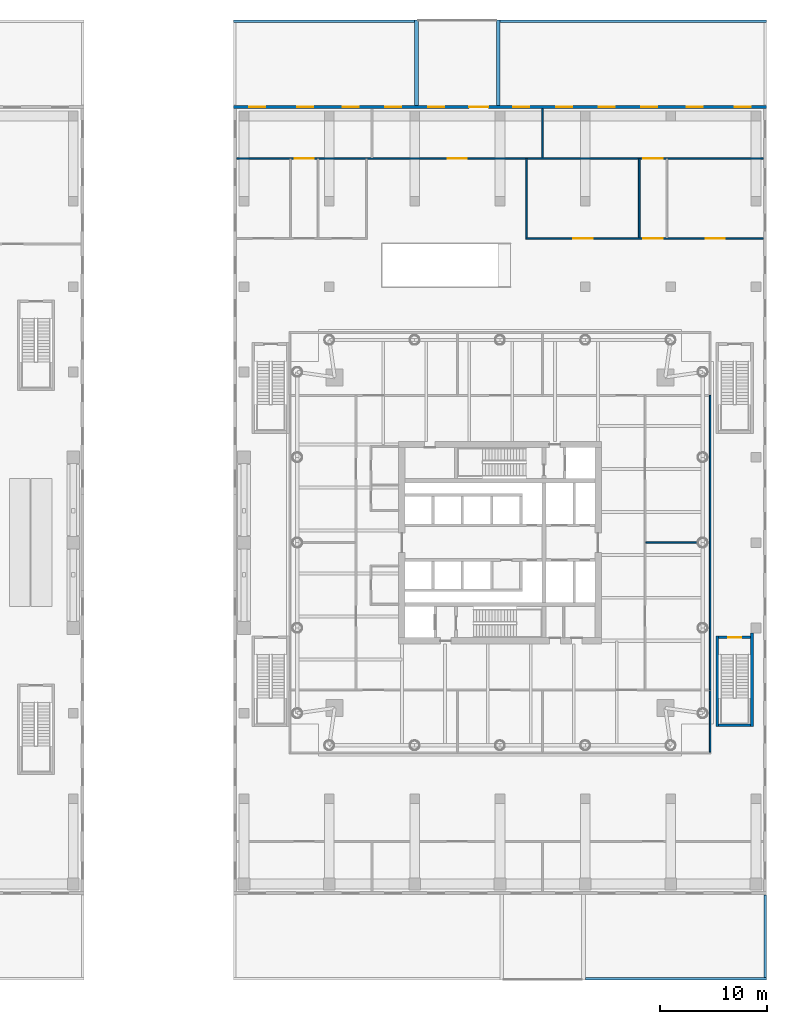
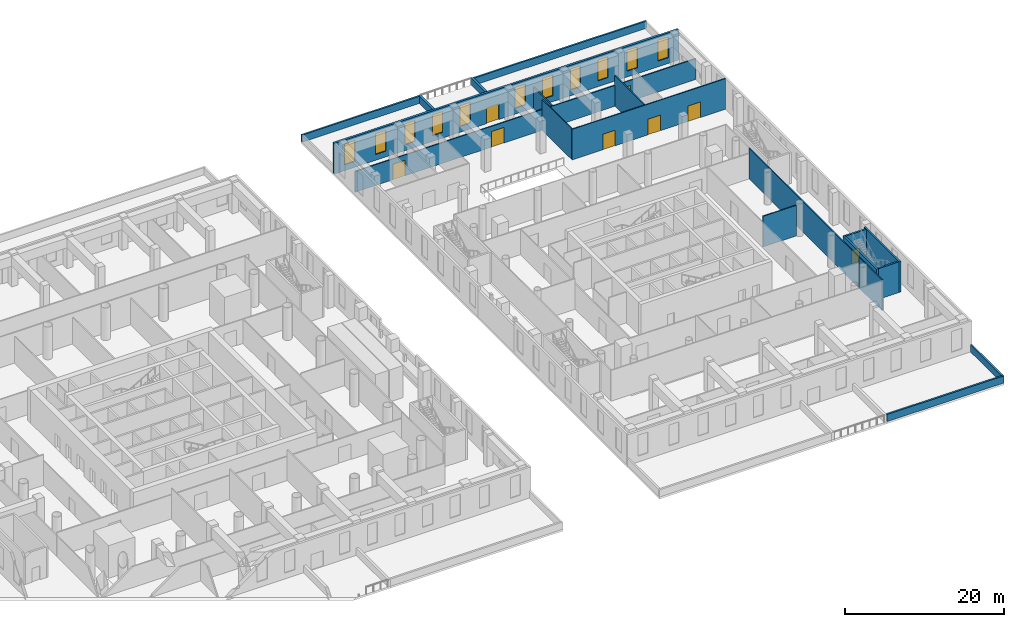
# One storey, part 19 of 26: 19 walls, 11 windows, 8 doors, 19 openings.
"""IFC4 building model written with IfcOpenShell, lengths in metres."""

from ifc_helpers import new_model, si_unit, direction, frame, frame_2d, origin, place, context, subcontext, project, spatial, rectangle, extrude, material, layer, layer_set, type_object, element, fill, save


model = new_model("IFC4")

# Units and contexts
model_context = context("Model", 3, precision=1e-05, world=origin(), true_north=direction((0.0, 1.0)))
body_context = subcontext(model_context, "Body", "Model", "MODEL_VIEW")
ifc_project = project(units=[si_unit("LENGTHUNIT", "METRE"), si_unit("AREAUNIT", "SQUARE_METRE"), si_unit("VOLUMEUNIT", "CUBIC_METRE"), si_unit("PLANEANGLEUNIT", "RADIAN"), si_unit("MASSUNIT", "GRAM", prefix="KILO")], contexts=[model_context])

# Site, building, storey
site_placement = place(None, origin())
site = spatial("IfcSite", under=ifc_project, at=site_placement, CompositionType="ELEMENT")
building_placement = place(site_placement, origin())
building = spatial("IfcBuilding", under=site, at=building_placement, Name="Ostroluk Exchange", CompositionType="ELEMENT")
storey_placement = place(building_placement, frame((0.0, 0.0, 6.0)))
storey = spatial("IfcBuildingStorey", under=building, at=storey_placement, Name="L01", CompositionType="ELEMENT", Elevation=6.0)

# Walls
ifc_material_1 = material(Name="Concrete blockwork", Category="masonry")
ifc_layer_1 = layer(ifc_material_1, 0.25)
ifc_layer_set_1 = layer_set([ifc_layer_1], Name="Blockwork stair enclosure wall 250")
wall_type_1 = type_object("IfcWallType", Name="Blockwork stair enclosure wall 250", PredefinedType="SOLIDWALL", material=ifc_layer_set_1)
wall_1_placement = place(storey_placement, frame((137.375, 28.75, 0.0), z_axis=(0.0, 0.0, 1.0), x_axis=(0.0, 1.0, 0.0)))
element("IfcWall", 1, at=wall_1_placement, inside=storey, type_object=wall_type_1, Name="Stair PS7 enclosure wall", PredefinedType="SOLIDWALL", context=body_context, shape_type="SweptSolid", body=[
    extrude(rectangle(XDim=8.5, YDim=0.25, at=frame_2d((4.25, 0.0))), origin(), (0.0, 0.0, 1.0), 4.699951171875),
])
wall_2_placement = place(storey_placement, frame((140.625, 28.75, 0.0), z_axis=(0.0, 0.0, 1.0), x_axis=(0.0, 1.0, 0.0)))
element("IfcWall", 2, at=wall_2_placement, inside=storey, type_object=wall_type_1, Name="Stair PS7 enclosure wall", PredefinedType="SOLIDWALL", context=body_context, shape_type="SweptSolid", body=[
    extrude(rectangle(XDim=8.800048828125, YDim=0.25, at=frame_2d((4.39990234375, 0.0))), origin(), (0.0, 0.0, 1.0), 4.699951171875),
])
wall_3_placement = place(storey_placement, frame((137.5, 28.875, 0.0), z_axis=(0.0, 0.0, 1.0), x_axis=(1.0, 0.0, 0.0)))
element("IfcWall", 3, at=wall_3_placement, inside=storey, type_object=wall_type_1, Name="Stair PS7 enclosure wall", PredefinedType="SOLIDWALL", context=body_context, shape_type="SweptSolid", body=[
    extrude(rectangle(XDim=3.0, YDim=0.25, at=frame_2d((1.5, 0.0))), origin(), (0.0, 0.0, 1.0), 4.699951171875),
])

# Wall, opening, door
wall_4_placement = place(storey_placement, frame((137.5, 37.125, 0.0), z_axis=(0.0, 0.0, 1.0), x_axis=(1.0, 0.0, 0.0)))
wall_4 = element("IfcWall", 4, at=wall_4_placement, inside=storey, type_object=wall_type_1, Name="Stair PS7 enclosure wall", PredefinedType="SOLIDWALL", context=body_context, shape_type="SweptSolid", body=[
    extrude(rectangle(XDim=3.0, YDim=0.25, at=frame_2d((1.5, 0.0))), origin(), (0.0, 0.0, 1.0), 4.699951171875),
])
opening_1_placement = place(wall_4_placement, frame((0.89990234375, 0.0, 0.0)))
opening_1 = element("IfcOpeningElement", 5, at=opening_1_placement, cuts=wall_4, Name="Opening FD60S", PredefinedType="OPENING", context=body_context, shape_type="SweptSolid", body=[
    extrude(rectangle(XDim=1.199951171875, YDim=2.10009765625, at=frame_2d((0.60009765625, 1.050048828125))), frame((0.0, 0.135009765625, 0.0), z_axis=(0.0, -1.0, 0.0), x_axis=(1.0, 0.0, 0.0)), (0.0, 0.0, 1.0), 0.27001953125),
])
ifc_material_2 = material(Name="Steel", Category="steel")
door_type_1 = type_object("IfcDoorType", Name="Stair door EI 60 1200 x 2100", OperationType="SINGLE_SWING_LEFT", PredefinedType="DOOR", material=ifc_material_2)
door_1_placement = place(opening_1_placement, origin())
door_1 = element("IfcDoor", 6, at=door_1_placement, inside=storey, type_object=door_type_1, Name="Stair PS7 door", OperationType="SINGLE_SWING_LEFT", OverallHeight=2.10009765625, OverallWidth=1.199951171875, PredefinedType="DOOR", context=body_context, shape_type="SweptSolid", body=[
    extrude(rectangle(XDim=1.199951171875, YDim=2.10009765625, at=frame_2d((0.60009765625, 1.050048828125))), frame((0.0, 0.02490234375, 0.0), z_axis=(0.0, -1.0, 0.0), x_axis=(1.0, 0.0, 0.0)), (0.0, 0.0, 1.0), 0.050048828125),
])
fill(opening_1, door_1)

# Walls
ifc_material_3 = material(Name="Limestone", Category="masonry")
ifc_layer_2 = layer(ifc_material_3, 0.25)
ifc_layer_set_2 = layer_set([ifc_layer_2], Name="Green roof parapet 250")
wall_type_2 = type_object("IfcWallType", Name="Green roof parapet 250", PredefinedType="PARAPET", material=ifc_layer_set_2)
wall_5_placement = place(storey_placement, frame((125.010009765625, 5.125, 0.0), z_axis=(0.0, 0.0, 1.0), x_axis=(1.0, 0.0, 0.0)))
element("IfcWall", 7, at=wall_5_placement, inside=storey, type_object=wall_type_2, Name="Green roof parapet L01 1", PredefinedType="PARAPET", context=body_context, shape_type="SweptSolid", body=[
    extrude(rectangle(XDim=16.989990234375, YDim=0.25, at=frame_2d((8.4951171875, 0.0))), origin(), (0.0, 0.0, 1.0), 1.10009765625),
])
wall_6_placement = place(storey_placement, frame((141.875, 5.25, 0.0), z_axis=(0.0, 0.0, 1.0), x_axis=(0.0, 1.0, 0.0)))
element("IfcWall", 8, at=wall_6_placement, inside=storey, type_object=wall_type_2, Name="Green roof parapet L01 2", PredefinedType="PARAPET", context=body_context, shape_type="SweptSolid", body=[
    extrude(rectangle(XDim=7.739990234375, YDim=0.25, at=frame_2d((3.8701171875, 0.0))), origin(), (0.0, 0.0, 1.0), 1.10009765625),
])
wall_7_placement = place(storey_placement, frame((92.0, 94.875, 0.0), z_axis=(0.0, 0.0, 1.0), x_axis=(1.0, 0.0, 0.0)))
element("IfcWall", 9, at=wall_7_placement, inside=storey, type_object=wall_type_2, Name="Green roof parapet L01 2", PredefinedType="PARAPET", context=body_context, shape_type="SweptSolid", body=[
    extrude(rectangle(XDim=16.989990234375, YDim=0.25, at=frame_2d((8.4951171875, 0.0))), origin(), (0.0, 0.0, 1.0), 1.10009765625),
])
wall_8_placement = place(storey_placement, frame((117.010009765625, 94.875, 0.0), z_axis=(0.0, 0.0, 1.0), x_axis=(1.0, 0.0, 0.0)))
element("IfcWall", 10, at=wall_8_placement, inside=storey, type_object=wall_type_2, Name="Green roof parapet L01 1", PredefinedType="PARAPET", context=body_context, shape_type="SweptSolid", body=[
    extrude(rectangle(XDim=24.989990234375, YDim=0.25, at=frame_2d((12.4951171875, 0.0))), origin(), (0.0, 0.0, 1.0), 1.10009765625),
])

# Wall, openings, windows, door
ifc_material_4 = material(Name="Limestone", Category="masonry")
ifc_layer_3 = layer(ifc_material_4, 0.300048828125)
ifc_layer_set_3 = layer_set([ifc_layer_3], Name="Limestone facade wall 300")
wall_type_3 = type_object("IfcWallType", Name="Limestone facade wall 300", PredefinedType="SOLIDWALL", material=ifc_layer_set_3)
wall_9_placement = place(storey_placement, frame((142.0, 86.85009765625, 0.0), z_axis=(0.0, 0.0, 1.0), x_axis=(-1.0, 0.0, 0.0)))
wall_9 = element("IfcWall", 11, at=wall_9_placement, inside=storey, type_object=wall_type_3, Name="Podium east N wall L01 1a", PredefinedType="SOLIDWALL", context=body_context, shape_type="SweptSolid", body=[
    extrude(rectangle(XDim=50.0, YDim=0.300048828125, at=frame_2d((25.0, 0.0))), origin(), (0.0, 0.0, 1.0), 4.699951171875),
])
opening_2_placement = place(wall_9_placement, frame((1.5, 0.0, 0.89990234375)))
opening_2 = element("IfcOpeningElement", 12, at=opening_2_placement, cuts=wall_9, Name="Opening WN-L2", PredefinedType="OPENING", context=body_context, shape_type="SweptSolid", body=[
    extrude(rectangle(XDim=1.5, YDim=3.199951171875, at=frame_2d((0.75, 1.60009765625))), frame((0.0, 0.159912109375, 0.0), z_axis=(0.0, -1.0, 0.0), x_axis=(1.0, 0.0, 0.0)), (0.0, 0.0, 1.0), 0.320068359375),
])
opening_3_placement = place(wall_9_placement, frame((6.0, 0.0, 0.89990234375)))
opening_3 = element("IfcOpeningElement", 13, at=opening_3_placement, cuts=wall_9, Name="Opening WN-L2", PredefinedType="OPENING", context=body_context, shape_type="SweptSolid", body=[
    extrude(rectangle(XDim=1.5, YDim=3.199951171875, at=frame_2d((0.75, 1.60009765625))), frame((0.0, 0.159912109375, 0.0), z_axis=(0.0, -1.0, 0.0), x_axis=(1.0, 0.0, 0.0)), (0.0, 0.0, 1.0), 0.320068359375),
])
opening_4_placement = place(wall_9_placement, frame((10.25, 0.0, 0.89990234375)))
opening_4 = element("IfcOpeningElement", 14, at=opening_4_placement, cuts=wall_9, Name="Opening WN-L2", PredefinedType="OPENING", context=body_context, shape_type="SweptSolid", body=[
    extrude(rectangle(XDim=1.5, YDim=3.199951171875, at=frame_2d((0.75, 1.60009765625))), frame((0.0, 0.159912109375, 0.0), z_axis=(0.0, -1.0, 0.0), x_axis=(1.0, 0.0, 0.0)), (0.0, 0.0, 1.0), 0.320068359375),
])
opening_5_placement = place(wall_9_placement, frame((14.25, 0.0, 0.89990234375)))
opening_5 = element("IfcOpeningElement", 15, at=opening_5_placement, cuts=wall_9, Name="Opening WN-L2", PredefinedType="OPENING", context=body_context, shape_type="SweptSolid", body=[
    extrude(rectangle(XDim=1.5, YDim=3.199951171875, at=frame_2d((0.75, 1.60009765625))), frame((0.0, 0.159912109375, 0.0), z_axis=(0.0, -1.0, 0.0), x_axis=(1.0, 0.0, 0.0)), (0.0, 0.0, 1.0), 0.320068359375),
])
opening_6_placement = place(wall_9_placement, frame((18.25, 0.0, 0.89990234375)))
opening_6 = element("IfcOpeningElement", 16, at=opening_6_placement, cuts=wall_9, Name="Opening WN-L2", PredefinedType="OPENING", context=body_context, shape_type="SweptSolid", body=[
    extrude(rectangle(XDim=1.5, YDim=3.199951171875, at=frame_2d((0.75, 1.60009765625))), frame((0.0, 0.159912109375, 0.0), z_axis=(0.0, -1.0, 0.0), x_axis=(1.0, 0.0, 0.0)), (0.0, 0.0, 1.0), 0.320068359375),
])
opening_7_placement = place(wall_9_placement, frame((22.25, 0.0, 0.89990234375)))
opening_7 = element("IfcOpeningElement", 17, at=opening_7_placement, cuts=wall_9, Name="Opening WN-L2", PredefinedType="OPENING", context=body_context, shape_type="SweptSolid", body=[
    extrude(rectangle(XDim=1.5, YDim=3.199951171875, at=frame_2d((0.75, 1.60009765625))), frame((0.0, 0.159912109375, 0.0), z_axis=(0.0, -1.0, 0.0), x_axis=(1.0, 0.0, 0.0)), (0.0, 0.0, 1.0), 0.320068359375),
])
opening_8_placement = place(wall_9_placement, frame((26.10009765625, 0.0, 0.0)))
opening_8 = element("IfcOpeningElement", 18, at=opening_8_placement, cuts=wall_9, Name="Opening D-T1", PredefinedType="OPENING", context=body_context, shape_type="SweptSolid", body=[
    extrude(rectangle(XDim=1.800048828125, YDim=2.39990234375, at=frame_2d((0.89990234375, 1.199951171875))), frame((0.0, 0.159912109375, 0.0), z_axis=(0.0, -1.0, 0.0), x_axis=(1.0, 0.0, 0.0)), (0.0, 0.0, 1.0), 0.320068359375),
])
opening_9_placement = place(wall_9_placement, frame((30.25, 0.0, 0.89990234375)))
opening_9 = element("IfcOpeningElement", 19, at=opening_9_placement, cuts=wall_9, Name="Opening WN-L2", PredefinedType="OPENING", context=body_context, shape_type="SweptSolid", body=[
    extrude(rectangle(XDim=1.5, YDim=3.199951171875, at=frame_2d((0.75, 1.60009765625))), frame((0.0, 0.159912109375, 0.0), z_axis=(0.0, -1.0, 0.0), x_axis=(1.0, 0.0, 0.0)), (0.0, 0.0, 1.0), 0.320068359375),
])
opening_10_placement = place(wall_9_placement, frame((34.25, 0.0, 0.89990234375)))
opening_10 = element("IfcOpeningElement", 20, at=opening_10_placement, cuts=wall_9, Name="Opening WN-L2", PredefinedType="OPENING", context=body_context, shape_type="SweptSolid", body=[
    extrude(rectangle(XDim=1.5, YDim=3.199951171875, at=frame_2d((0.75, 1.60009765625))), frame((0.0, 0.159912109375, 0.0), z_axis=(0.0, -1.0, 0.0), x_axis=(1.0, 0.0, 0.0)), (0.0, 0.0, 1.0), 0.320068359375),
])
opening_11_placement = place(wall_9_placement, frame((38.25, 0.0, 0.89990234375)))
opening_11 = element("IfcOpeningElement", 21, at=opening_11_placement, cuts=wall_9, Name="Opening WN-L2", PredefinedType="OPENING", context=body_context, shape_type="SweptSolid", body=[
    extrude(rectangle(XDim=1.5, YDim=3.199951171875, at=frame_2d((0.75, 1.60009765625))), frame((0.0, 0.159912109375, 0.0), z_axis=(0.0, -1.0, 0.0), x_axis=(1.0, 0.0, 0.0)), (0.0, 0.0, 1.0), 0.320068359375),
])
opening_12_placement = place(wall_9_placement, frame((42.5, 0.0, 0.89990234375)))
opening_12 = element("IfcOpeningElement", 22, at=opening_12_placement, cuts=wall_9, Name="Opening WN-L2", PredefinedType="OPENING", context=body_context, shape_type="SweptSolid", body=[
    extrude(rectangle(XDim=1.5, YDim=3.199951171875, at=frame_2d((0.75, 1.60009765625))), frame((0.0, 0.159912109375, 0.0), z_axis=(0.0, -1.0, 0.0), x_axis=(1.0, 0.0, 0.0)), (0.0, 0.0, 1.0), 0.320068359375),
])
opening_13_placement = place(wall_9_placement, frame((47.0, 0.0, 0.89990234375)))
opening_13 = element("IfcOpeningElement", 23, at=opening_13_placement, cuts=wall_9, Name="Opening WN-L2", PredefinedType="OPENING", context=body_context, shape_type="SweptSolid", body=[
    extrude(rectangle(XDim=1.5, YDim=3.199951171875, at=frame_2d((0.75, 1.60009765625))), frame((0.0, 0.159912109375, 0.0), z_axis=(0.0, -1.0, 0.0), x_axis=(1.0, 0.0, 0.0)), (0.0, 0.0, 1.0), 0.320068359375),
])
ifc_material_5 = material(Name="Laminated clear glass", Category="glass")
window_type = type_object("IfcWindowType", Name="Podium lancet window 1500 x 3200", PartitioningType="DOUBLE_PANEL_VERTICAL", PredefinedType="WINDOW", material=ifc_material_5)
window_1_placement = place(opening_2_placement, origin())
window_1 = element("IfcWindow", 24, at=window_1_placement, inside=storey, type_object=window_type, Name="Podium east lancet window N L01 1.1", OverallHeight=3.199951171875, OverallWidth=1.5, PartitioningType="SINGLE_PANEL", PredefinedType="WINDOW", context=body_context, shape_type="SweptSolid", body=[
    extrude(rectangle(XDim=1.5, YDim=3.199951171875, at=frame_2d((0.75, 1.60009765625))), frame((0.0, 0.030029296875, 0.0), z_axis=(0.0, -1.0, 0.0), x_axis=(1.0, 0.0, 0.0)), (0.0, 0.0, 1.0), 0.06005859375),
])
fill(opening_2, window_1)
window_2_placement = place(opening_3_placement, origin())
window_2 = element("IfcWindow", 25, at=window_2_placement, inside=storey, type_object=window_type, Name="Podium east lancet window N L01 1.2", OverallHeight=3.199951171875, OverallWidth=1.5, PartitioningType="SINGLE_PANEL", PredefinedType="WINDOW", context=body_context, shape_type="SweptSolid", body=[
    extrude(rectangle(XDim=1.5, YDim=3.199951171875, at=frame_2d((0.75, 1.60009765625))), frame((0.0, 0.030029296875, 0.0), z_axis=(0.0, -1.0, 0.0), x_axis=(1.0, 0.0, 0.0)), (0.0, 0.0, 1.0), 0.06005859375),
])
fill(opening_3, window_2)
window_3_placement = place(opening_4_placement, origin())
window_3 = element("IfcWindow", 26, at=window_3_placement, inside=storey, type_object=window_type, Name="Podium east lancet window N L01 2.1", OverallHeight=3.199951171875, OverallWidth=1.5, PartitioningType="SINGLE_PANEL", PredefinedType="WINDOW", context=body_context, shape_type="SweptSolid", body=[
    extrude(rectangle(XDim=1.5, YDim=3.199951171875, at=frame_2d((0.75, 1.60009765625))), frame((0.0, 0.030029296875, 0.0), z_axis=(0.0, -1.0, 0.0), x_axis=(1.0, 0.0, 0.0)), (0.0, 0.0, 1.0), 0.06005859375),
])
fill(opening_4, window_3)
window_4_placement = place(opening_5_placement, origin())
window_4 = element("IfcWindow", 27, at=window_4_placement, inside=storey, type_object=window_type, Name="Podium east lancet window N L01 2.2", OverallHeight=3.199951171875, OverallWidth=1.5, PartitioningType="SINGLE_PANEL", PredefinedType="WINDOW", context=body_context, shape_type="SweptSolid", body=[
    extrude(rectangle(XDim=1.5, YDim=3.199951171875, at=frame_2d((0.75, 1.60009765625))), frame((0.0, 0.030029296875, 0.0), z_axis=(0.0, -1.0, 0.0), x_axis=(1.0, 0.0, 0.0)), (0.0, 0.0, 1.0), 0.06005859375),
])
fill(opening_5, window_4)
window_5_placement = place(opening_6_placement, origin())
window_5 = element("IfcWindow", 28, at=window_5_placement, inside=storey, type_object=window_type, Name="Podium east lancet window N L01 3.1", OverallHeight=3.199951171875, OverallWidth=1.5, PartitioningType="SINGLE_PANEL", PredefinedType="WINDOW", context=body_context, shape_type="SweptSolid", body=[
    extrude(rectangle(XDim=1.5, YDim=3.199951171875, at=frame_2d((0.75, 1.60009765625))), frame((0.0, 0.030029296875, 0.0), z_axis=(0.0, -1.0, 0.0), x_axis=(1.0, 0.0, 0.0)), (0.0, 0.0, 1.0), 0.06005859375),
])
fill(opening_6, window_5)
window_6_placement = place(opening_7_placement, origin())
window_6 = element("IfcWindow", 29, at=window_6_placement, inside=storey, type_object=window_type, Name="Podium east lancet window N L01 3.2", OverallHeight=3.199951171875, OverallWidth=1.5, PartitioningType="SINGLE_PANEL", PredefinedType="WINDOW", context=body_context, shape_type="SweptSolid", body=[
    extrude(rectangle(XDim=1.5, YDim=3.199951171875, at=frame_2d((0.75, 1.60009765625))), frame((0.0, 0.030029296875, 0.0), z_axis=(0.0, -1.0, 0.0), x_axis=(1.0, 0.0, 0.0)), (0.0, 0.0, 1.0), 0.06005859375),
])
fill(opening_7, window_6)
window_7_placement = place(opening_9_placement, origin())
window_7 = element("IfcWindow", 30, at=window_7_placement, inside=storey, type_object=window_type, Name="Podium east lancet window N L01 4.2", OverallHeight=3.199951171875, OverallWidth=1.5, PartitioningType="SINGLE_PANEL", PredefinedType="WINDOW", context=body_context, shape_type="SweptSolid", body=[
    extrude(rectangle(XDim=1.5, YDim=3.199951171875, at=frame_2d((0.75, 1.60009765625))), frame((0.0, 0.030029296875, 0.0), z_axis=(0.0, -1.0, 0.0), x_axis=(1.0, 0.0, 0.0)), (0.0, 0.0, 1.0), 0.06005859375),
])
fill(opening_9, window_7)
window_8_placement = place(opening_10_placement, origin())
window_8 = element("IfcWindow", 31, at=window_8_placement, inside=storey, type_object=window_type, Name="Podium east lancet window N L01 5.1", OverallHeight=3.199951171875, OverallWidth=1.5, PartitioningType="SINGLE_PANEL", PredefinedType="WINDOW", context=body_context, shape_type="SweptSolid", body=[
    extrude(rectangle(XDim=1.5, YDim=3.199951171875, at=frame_2d((0.75, 1.60009765625))), frame((0.0, 0.030029296875, 0.0), z_axis=(0.0, -1.0, 0.0), x_axis=(1.0, 0.0, 0.0)), (0.0, 0.0, 1.0), 0.06005859375),
])
fill(opening_10, window_8)
window_9_placement = place(opening_11_placement, origin())
window_9 = element("IfcWindow", 32, at=window_9_placement, inside=storey, type_object=window_type, Name="Podium east lancet window N L01 5.2", OverallHeight=3.199951171875, OverallWidth=1.5, PartitioningType="SINGLE_PANEL", PredefinedType="WINDOW", context=body_context, shape_type="SweptSolid", body=[
    extrude(rectangle(XDim=1.5, YDim=3.199951171875, at=frame_2d((0.75, 1.60009765625))), frame((0.0, 0.030029296875, 0.0), z_axis=(0.0, -1.0, 0.0), x_axis=(1.0, 0.0, 0.0)), (0.0, 0.0, 1.0), 0.06005859375),
])
fill(opening_11, window_9)
window_10_placement = place(opening_12_placement, origin())
window_10 = element("IfcWindow", 33, at=window_10_placement, inside=storey, type_object=window_type, Name="Podium east lancet window N L01 6.1", OverallHeight=3.199951171875, OverallWidth=1.5, PartitioningType="SINGLE_PANEL", PredefinedType="WINDOW", context=body_context, shape_type="SweptSolid", body=[
    extrude(rectangle(XDim=1.5, YDim=3.199951171875, at=frame_2d((0.75, 1.60009765625))), frame((0.0, 0.030029296875, 0.0), z_axis=(0.0, -1.0, 0.0), x_axis=(1.0, 0.0, 0.0)), (0.0, 0.0, 1.0), 0.06005859375),
])
fill(opening_12, window_10)
window_11_placement = place(opening_13_placement, origin())
window_11 = element("IfcWindow", 34, at=window_11_placement, inside=storey, type_object=window_type, Name="Podium east lancet window N L01 6.2", OverallHeight=3.199951171875, OverallWidth=1.5, PartitioningType="SINGLE_PANEL", PredefinedType="WINDOW", context=body_context, shape_type="SweptSolid", body=[
    extrude(rectangle(XDim=1.5, YDim=3.199951171875, at=frame_2d((0.75, 1.60009765625))), frame((0.0, 0.030029296875, 0.0), z_axis=(0.0, -1.0, 0.0), x_axis=(1.0, 0.0, 0.0)), (0.0, 0.0, 1.0), 0.06005859375),
])
fill(opening_13, window_11)
ifc_material_6 = material(Name="Bronze framed glazed door", Category="aluminium")
door_type_2 = type_object("IfcDoorType", Name="Terrace double door 1800 x 2400", OperationType="DOUBLE_DOOR_SINGLE_SWING", PredefinedType="DOOR", material=ifc_material_6)
door_2_placement = place(opening_8_placement, origin())
door_2 = element("IfcDoor", 35, at=door_2_placement, inside=storey, type_object=door_type_2, Name="Podium east terrace door N L01 4", OperationType="DOUBLE_DOOR_SINGLE_SWING", OverallHeight=2.39990234375, OverallWidth=1.800048828125, PredefinedType="DOOR", context=body_context, shape_type="SweptSolid", body=[
    extrude(rectangle(XDim=1.800048828125, YDim=2.39990234375, at=frame_2d((0.89990234375, 1.199951171875))), frame((0.0, 0.02490234375, 0.0), z_axis=(0.0, -1.0, 0.0), x_axis=(1.0, 0.0, 0.0)), (0.0, 0.0, 1.0), 0.050048828125),
])
fill(opening_8, door_2)

# Walls
ifc_material_7 = material(Name="Limestone", Category="masonry")
ifc_layer_4 = layer(ifc_material_7, 0.35009765625)
ifc_layer_set_4 = layer_set([ifc_layer_4], Name="Planter wall 350")
wall_type_4 = type_object("IfcWallType", Name="Planter wall 350", PredefinedType="PARAPET", material=ifc_layer_set_4)
for number, where, z_axis, x_axis, name in (
    (36, (109.175048828125, 87.0, 0.0), (0.0, 0.0, 1.0), (0.0, 1.0, 0.0), "Terrace planter wall L01 1"),
    (37, (116.824951171875, 87.0, 0.0), (0.0, 0.0, 1.0), (0.0, 1.0, 0.0), "Terrace planter wall L01 2"),
):
    element("IfcWall", number, at=place(storey_placement, frame(where, z_axis=z_axis, x_axis=x_axis)), inside=storey, type_object=wall_type_4, Name=name, PredefinedType="PARAPET", context=body_context, shape_type="SweptSolid", body=[
        extrude(rectangle(XDim=8.0, YDim=0.35009765625, at=frame_2d((4.0, 0.0))), origin(), (0.0, 0.0, 1.0), 1.10009765625),
    ])

# Wall, openings, doors
ifc_material_8 = material(Name="Gypsum plasterboard partition", Category="gypsum")
ifc_layer_5 = layer(ifc_material_8, 0.14990234375)
ifc_layer_set_5 = layer_set([ifc_layer_5], Name="Plasterboard partition 150")
wall_type_5 = type_object("IfcWallType", Name="Plasterboard partition 150", PredefinedType="PARTITIONING", material=ifc_layer_set_5)
wall_10_placement = place(storey_placement, frame((92.300048828125, 82.0, 0.0), z_axis=(0.0, 0.0, 1.0), x_axis=(1.0, 0.0, 0.0)))
wall_10 = element("IfcWall", 38, at=wall_10_placement, inside=storey, type_object=wall_type_5, Name="Partition", PredefinedType="PARTITIONING", context=body_context, shape_type="SweptSolid", body=[
    extrude(rectangle(XDim=49.39990234375, YDim=0.14990234375, at=frame_2d((24.699951171875, 0.0))), origin(), (0.0, 0.0, 1.0), 3.199951171875),
])
opening_14_placement = place(wall_10_placement, frame((5.449951171875, 0.0, 0.0)))
opening_14 = element("IfcOpeningElement", 39, at=opening_14_placement, cuts=wall_10, Name="Opening D-04", PredefinedType="OPENING", context=body_context, shape_type="SweptSolid", body=[
    extrude(rectangle(XDim=1.800048828125, YDim=2.39990234375, at=frame_2d((0.89990234375, 1.199951171875))), frame((0.0, 0.0849609375, 0.0), z_axis=(0.0, -1.0, 0.0), x_axis=(1.0, 0.0, 0.0)), (0.0, 0.0, 1.0), 0.169921875),
])
opening_15_placement = place(wall_10_placement, frame((19.800048828125, 0.0, 0.0)))
opening_15 = element("IfcOpeningElement", 40, at=opening_15_placement, cuts=wall_10, Name="Opening D-04", PredefinedType="OPENING", context=body_context, shape_type="SweptSolid", body=[
    extrude(rectangle(XDim=1.800048828125, YDim=2.39990234375, at=frame_2d((0.89990234375, 1.199951171875))), frame((0.0, 0.0849609375, 0.0), z_axis=(0.0, -1.0, 0.0), x_axis=(1.0, 0.0, 0.0)), (0.0, 0.0, 1.0), 0.169921875),
])
opening_16_placement = place(wall_10_placement, frame((38.14990234375, 0.0, 0.0)))
opening_16 = element("IfcOpeningElement", 41, at=opening_16_placement, cuts=wall_10, Name="Opening D-04", PredefinedType="OPENING", context=body_context, shape_type="SweptSolid", body=[
    extrude(rectangle(XDim=1.800048828125, YDim=2.39990234375, at=frame_2d((0.89990234375, 1.199951171875))), frame((0.0, 0.0849609375, 0.0), z_axis=(0.0, -1.0, 0.0), x_axis=(1.0, 0.0, 0.0)), (0.0, 0.0, 1.0), 0.169921875),
])
ifc_material_9 = material(Name="Timber", Category="wood")
door_type_3 = type_object("IfcDoorType", Name="Double door 1800 x 2400", OperationType="DOUBLE_DOOR_SINGLE_SWING", PredefinedType="DOOR", material=ifc_material_9)
door_3_placement = place(opening_14_placement, origin())
door_3 = element("IfcDoor", 42, at=door_3_placement, inside=storey, type_object=door_type_3, Name="Retail unit door", OperationType="DOUBLE_DOOR_SINGLE_SWING", OverallHeight=2.39990234375, OverallWidth=1.800048828125, PredefinedType="DOOR", context=body_context, shape_type="SweptSolid", body=[
    extrude(rectangle(XDim=1.800048828125, YDim=2.39990234375, at=frame_2d((0.89990234375, 1.199951171875))), frame((0.0, 0.02490234375, 0.0), z_axis=(0.0, -1.0, 0.0), x_axis=(1.0, 0.0, 0.0)), (0.0, 0.0, 1.0), 0.050048828125),
])
fill(opening_14, door_3)
door_4_placement = place(opening_15_placement, origin())
door_4 = element("IfcDoor", 43, at=door_4_placement, inside=storey, type_object=door_type_3, Name="Retail unit door", OperationType="DOUBLE_DOOR_SINGLE_SWING", OverallHeight=2.39990234375, OverallWidth=1.800048828125, PredefinedType="DOOR", context=body_context, shape_type="SweptSolid", body=[
    extrude(rectangle(XDim=1.800048828125, YDim=2.39990234375, at=frame_2d((0.89990234375, 1.199951171875))), frame((0.0, 0.02490234375, 0.0), z_axis=(0.0, -1.0, 0.0), x_axis=(1.0, 0.0, 0.0)), (0.0, 0.0, 1.0), 0.050048828125),
])
fill(opening_15, door_4)
door_5_placement = place(opening_16_placement, origin())
door_5 = element("IfcDoor", 44, at=door_5_placement, inside=storey, type_object=door_type_3, Name="Retail unit door", OperationType="DOUBLE_DOOR_SINGLE_SWING", OverallHeight=2.39990234375, OverallWidth=1.800048828125, PredefinedType="DOOR", context=body_context, shape_type="SweptSolid", body=[
    extrude(rectangle(XDim=1.800048828125, YDim=2.39990234375, at=frame_2d((0.89990234375, 1.199951171875))), frame((0.0, 0.02490234375, 0.0), z_axis=(0.0, -1.0, 0.0), x_axis=(1.0, 0.0, 0.0)), (0.0, 0.0, 1.0), 0.050048828125),
])
fill(opening_16, door_5)

# Walls
wall_11_placement = place(storey_placement, frame((121.0, 82.074951171875, 0.0), z_axis=(0.0, 0.0, 1.0), x_axis=(0.0, 1.0, 0.0)))
element("IfcWall", 45, at=wall_11_placement, inside=storey, type_object=wall_type_5, Name="Partition", PredefinedType="PARTITIONING", context=body_context, shape_type="SweptSolid", body=[
    extrude(rectangle(XDim=4.625, YDim=0.14990234375, at=frame_2d((2.3125, 0.0))), origin(), (0.0, 0.0, 1.0), 3.199951171875),
])
wall_12_placement = place(storey_placement, frame((136.699951171875, 26.375, 0.0), z_axis=(0.0, 0.0, 1.0), x_axis=(0.0, 1.0, 0.0)))
element("IfcWall", 46, at=wall_12_placement, inside=storey, type_object=wall_type_5, Name="Partition", PredefinedType="PARTITIONING", context=body_context, shape_type="SweptSolid", body=[
    extrude(rectangle(XDim=5.75, YDim=0.14990234375, at=frame_2d((2.875, 0.0))), origin(), (0.0, 0.0, 1.0), 4.699951171875),
])
wall_13_placement = place(storey_placement, frame((136.699951171875, 32.199951171875, 0.0), z_axis=(0.0, 0.0, 1.0), x_axis=(0.0, 1.0, 0.0)))
element("IfcWall", 47, at=wall_13_placement, inside=storey, type_object=wall_type_5, Name="Partition", PredefinedType="PARTITIONING", context=body_context, shape_type="SweptSolid", body=[
    extrude(rectangle(XDim=27.60009765625, YDim=0.14990234375, at=frame_2d((13.800048828125, 0.0))), origin(), (0.0, 0.0, 1.0), 4.699951171875),
])
wall_14_placement = place(storey_placement, frame((130.675048828125, 46.0, 0.0), z_axis=(0.0, 0.0, 1.0), x_axis=(1.0, 0.0, 0.0)))
element("IfcWall", 48, at=wall_14_placement, inside=storey, type_object=wall_type_5, Name="Partition", PredefinedType="PARTITIONING", context=body_context, shape_type="SweptSolid", body=[
    extrude(rectangle(XDim=4.867919921875, YDim=0.14990234375, at=frame_2d((2.43408203125, 0.0))), origin(), (0.0, 0.0, 1.0), 4.699951171875),
])

# Wall, openings, doors
wall_15_placement = place(storey_placement, frame((119.425048828125, 74.5, 0.0), z_axis=(0.0, 0.0, 1.0), x_axis=(1.0, 0.0, 0.0)))
wall_15 = element("IfcWall", 49, at=wall_15_placement, inside=storey, type_object=wall_type_5, Name="Partition", PredefinedType="PARTITIONING", context=body_context, shape_type="SweptSolid", body=[
    extrude(rectangle(XDim=22.27490234375, YDim=0.14990234375, at=frame_2d((11.137451171875, 0.0))), origin(), (0.0, 0.0, 1.0), 4.699951171875),
])
opening_17_placement = place(wall_15_placement, frame((4.449951171875, 0.0, 0.0)))
opening_17 = element("IfcOpeningElement", 50, at=opening_17_placement, cuts=wall_15, Name="Opening D-04", PredefinedType="OPENING", context=body_context, shape_type="SweptSolid", body=[
    extrude(rectangle(XDim=1.800048828125, YDim=2.39990234375, at=frame_2d((0.89990234375, 1.199951171875))), frame((0.0, 0.0849609375, 0.0), z_axis=(0.0, -1.0, 0.0), x_axis=(1.0, 0.0, 0.0)), (0.0, 0.0, 1.0), 0.169921875),
])
opening_18_placement = place(wall_15_placement, frame((11.02490234375, 0.0, 0.0)))
opening_18 = element("IfcOpeningElement", 51, at=opening_18_placement, cuts=wall_15, Name="Opening D-04", PredefinedType="OPENING", context=body_context, shape_type="SweptSolid", body=[
    extrude(rectangle(XDim=1.800048828125, YDim=2.39990234375, at=frame_2d((0.89990234375, 1.199951171875))), frame((0.0, 0.0849609375, 0.0), z_axis=(0.0, -1.0, 0.0), x_axis=(1.0, 0.0, 0.0)), (0.0, 0.0, 1.0), 0.169921875),
])
opening_19_placement = place(wall_15_placement, frame((16.85009765625, 0.0, 0.0)))
opening_19 = element("IfcOpeningElement", 52, at=opening_19_placement, cuts=wall_15, Name="Opening D-04", PredefinedType="OPENING", context=body_context, shape_type="SweptSolid", body=[
    extrude(rectangle(XDim=1.800048828125, YDim=2.39990234375, at=frame_2d((0.89990234375, 1.199951171875))), frame((0.0, 0.0849609375, 0.0), z_axis=(0.0, -1.0, 0.0), x_axis=(1.0, 0.0, 0.0)), (0.0, 0.0, 1.0), 0.169921875),
])
door_6_placement = place(opening_17_placement, origin())
door_6 = element("IfcDoor", 53, at=door_6_placement, inside=storey, type_object=door_type_3, Name="Retail unit door", OperationType="DOUBLE_DOOR_SINGLE_SWING", OverallHeight=2.39990234375, OverallWidth=1.800048828125, PredefinedType="DOOR", context=body_context, shape_type="SweptSolid", body=[
    extrude(rectangle(XDim=1.800048828125, YDim=2.39990234375, at=frame_2d((0.89990234375, 1.199951171875))), frame((0.0, 0.02490234375, 0.0), z_axis=(0.0, -1.0, 0.0), x_axis=(1.0, 0.0, 0.0)), (0.0, 0.0, 1.0), 0.050048828125),
])
fill(opening_17, door_6)
door_7_placement = place(opening_18_placement, origin())
door_7 = element("IfcDoor", 54, at=door_7_placement, inside=storey, type_object=door_type_3, Name="Arcade passage door", OperationType="DOUBLE_DOOR_SINGLE_SWING", OverallHeight=2.39990234375, OverallWidth=1.800048828125, PredefinedType="DOOR", context=body_context, shape_type="SweptSolid", body=[
    extrude(rectangle(XDim=1.800048828125, YDim=2.39990234375, at=frame_2d((0.89990234375, 1.199951171875))), frame((0.0, 0.02490234375, 0.0), z_axis=(0.0, -1.0, 0.0), x_axis=(1.0, 0.0, 0.0)), (0.0, 0.0, 1.0), 0.050048828125),
])
fill(opening_18, door_7)
door_8_placement = place(opening_19_placement, origin())
door_8 = element("IfcDoor", 55, at=door_8_placement, inside=storey, type_object=door_type_3, Name="Goods store door", OperationType="DOUBLE_DOOR_SINGLE_SWING", OverallHeight=2.39990234375, OverallWidth=1.800048828125, PredefinedType="DOOR", context=body_context, shape_type="SweptSolid", body=[
    extrude(rectangle(XDim=1.800048828125, YDim=2.39990234375, at=frame_2d((0.89990234375, 1.199951171875))), frame((0.0, 0.02490234375, 0.0), z_axis=(0.0, -1.0, 0.0), x_axis=(1.0, 0.0, 0.0)), (0.0, 0.0, 1.0), 0.050048828125),
])
fill(opening_19, door_8)

# Walls
for number, where, z_axis, x_axis, name in (
    (56, (119.5, 74.574951171875, 0.0), (0.0, 0.0, 1.0), (0.0, 1.0, 0.0), "Partition"),
    (57, (130.050048828125, 74.574951171875, 0.0), (0.0, 0.0, 1.0), (0.0, 1.0, 0.0), "Partition"),
):
    element("IfcWall", number, at=place(storey_placement, frame(where, z_axis=z_axis, x_axis=x_axis)), inside=storey, type_object=wall_type_5, Name=name, PredefinedType="PARTITIONING", context=body_context, shape_type="SweptSolid", body=[
        extrude(rectangle(XDim=7.425048828125, YDim=0.14990234375, at=frame_2d((3.71240234375, 0.0))), origin(), (0.0, 0.0, 1.0), 4.699951171875),
    ])

save(model, "model.ifc")
